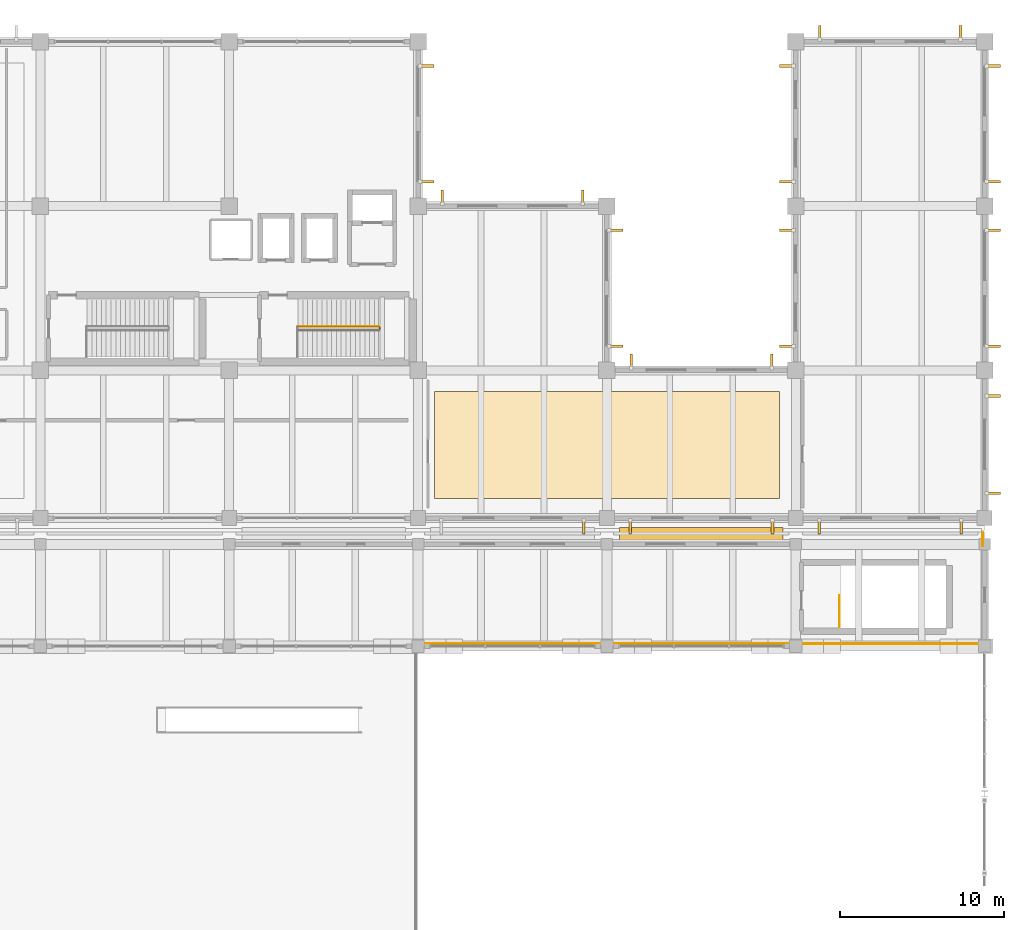
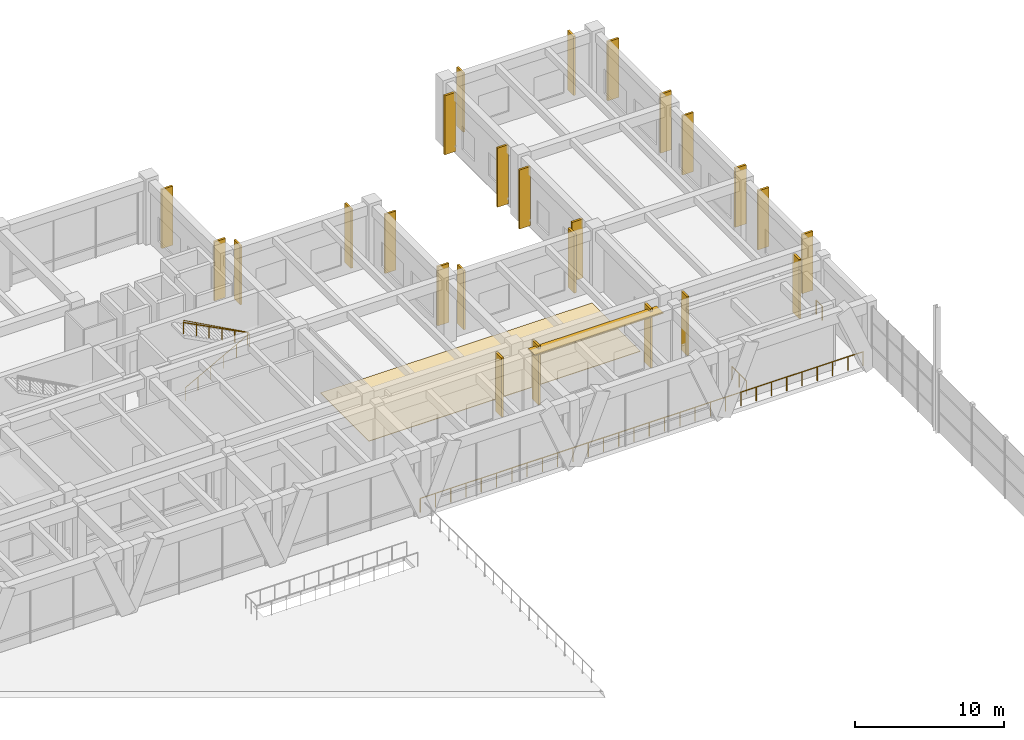
# One storey, part 148 of 148: 26 shading devices, 5 railings, 1 covering.
"""IFC4 building model written with IfcOpenShell, lengths in metres."""

import ifcopenshell
import ifcopenshell.guid

model = None  # the IFC model being written
_history = None  # IfcOwnerHistory: only IFC2X3 demands one
_inside = {}  # id of a spatial element -> (the spatial element, [elements in it])
_under = {}  # id of a project, library or spatial element -> (it, [spatial elements below it])
_declared = {}  # id of a project -> (the project, [libraries it declares])
_typed = {}  # id of a type object -> (the type object, [elements of that type])
_made_of = {}  # id of a material, layer set ... -> (it, [elements and type objects made of it])


def new_model(schema):
    """Start an empty IFC model of exactly this schema.

    Asked for "IFC4X3", IfcOpenShell would pick the latest addendum, in which some entities
    have other attributes; the version numbers below select the first issue.
    IFC2X3 requires an IfcOwnerHistory on every rooted entity: one is made here for all.
    """
    global model, _history
    if schema == "IFC4X3":
        model = ifcopenshell.file(schema_version=(4, 3, 0, 0))
    else:
        model = ifcopenshell.file(schema=schema)
    _inside.clear()
    _under.clear()
    _declared.clear()
    _typed.clear()
    _made_of.clear()
    _history = None
    if model.schema == "IFC2X3":
        org = make("IfcOrganization", Name="unknown")
        user = make(
            "IfcPersonAndOrganization",
            ThePerson=make("IfcPerson", FamilyName="unknown"),
            TheOrganization=org,
        )
        app = make(
            "IfcApplication",
            ApplicationDeveloper=org,
            Version="unknown",
            ApplicationFullName="unknown",
            ApplicationIdentifier="unknown",
        )
        _history = make(
            "IfcOwnerHistory",
            OwningUser=user,
            OwningApplication=app,
            ChangeAction="ADDED",
            CreationDate=0,
        )
    return model


def make(cls, **values):
    """One entity of the class cls with the attributes given. An attribute that is None is left unset."""
    return model.create_entity(
        cls, **{name: value for name, value in values.items() if value is not None}
    )


def rooted(cls, **values):
    """An entity with a GlobalId (a new one), such as an element, a storey or a relation."""
    return make(cls, GlobalId=ifcopenshell.guid.new(), OwnerHistory=_history, **values)


def si_unit(unit_type, name, prefix=None):
    """IfcSIUnit, for example si_unit("LENGTHUNIT", "METRE", prefix="MILLI")."""
    return make("IfcSIUnit", UnitType=unit_type, Prefix=prefix, Name=name)


def assignment(units):
    """IfcUnitAssignment: the units of a project."""
    return None if units is None else make("IfcUnitAssignment", Units=units)


def point(xyz):
    """IfcCartesianPoint."""
    return None if xyz is None else make("IfcCartesianPoint", Coordinates=xyz)


def direction(xyz):
    """IfcDirection."""
    return None if xyz is None else make("IfcDirection", DirectionRatios=xyz)


def frame(location, z_axis=None, x_axis=None):
    """IfcAxis2Placement3D, a coordinate frame: its origin and axes. An axis left out is left unset."""
    return make(
        "IfcAxis2Placement3D",
        Location=point(location),
        Axis=direction(z_axis),
        RefDirection=direction(x_axis),
    )


def frame_2d(location, x_axis=None):
    """IfcAxis2Placement2D, a coordinate frame in the plane: its origin and x axis."""
    return make(
        "IfcAxis2Placement2D", Location=point(location), RefDirection=direction(x_axis)
    )


def origin():
    """The frame at (0, 0, 0) with its axes left unset."""
    return frame((0.0, 0.0, 0.0))


def origin_2d():
    """The frame at (0, 0) in the plane with its x axis left unset."""
    return frame_2d((0.0, 0.0))


def place(relative_to, where):
    """IfcLocalPlacement: puts the frame where relative to a parent placement (None: the world)."""
    return make(
        "IfcLocalPlacement", PlacementRelTo=relative_to, RelativePlacement=where
    )


def context(
    kind, dimensions, precision=None, world=None, true_north=None, identifier=None
):
    """IfcGeometricRepresentationContext, for example the 3D "Model" context."""
    return make(
        "IfcGeometricRepresentationContext",
        ContextIdentifier=identifier,
        ContextType=kind,
        CoordinateSpaceDimension=dimensions,
        Precision=precision,
        WorldCoordinateSystem=world,
        TrueNorth=true_north,
    )


def subcontext(parent, identifier, kind, view, scale=None):
    """IfcGeometricRepresentationSubContext, for example "Body" below "Model"."""
    return make(
        "IfcGeometricRepresentationSubContext",
        ContextIdentifier=identifier,
        ContextType=kind,
        ParentContext=parent,
        TargetScale=scale,
        TargetView=view,
    )


def project(units=None, contexts=None):
    """IfcProject with its units and contexts."""
    return rooted(
        "IfcProject",
        Name="project",
        RepresentationContexts=contexts,
        UnitsInContext=assignment(units),
    )


def spatial(cls, under=None, at=None, **own):
    """A site, building, storey or space (cls), placed at a placement, below another one or the project."""
    s = rooted(cls, ObjectPlacement=at, **own)
    if under is not None:
        _under.setdefault(under.id(), (under, []))[1].append(s)
    return s


def polyline(points):
    """IfcPolyline through the points."""
    return make("IfcPolyline", Points=[point(p) for p in points])


def profile(cls, at=None, kind="AREA", **sizes):
    """A parametric profile (cls). Its sizes go by their IFC names, for example OverallWidth=200.0."""
    return make(cls, ProfileType=kind, Position=at, **sizes)


def rectangle(**sizes):
    """IfcRectangleProfileDef."""
    return profile("IfcRectangleProfileDef", **sizes)


def circle(**sizes):
    """IfcCircleProfileDef."""
    return profile("IfcCircleProfileDef", **sizes)


def outline(outer, holes=None, kind="AREA"):
    """IfcArbitraryClosedProfileDef: a profile drawn as a closed curve; with holes, ...WithVoids."""
    if holes is None:
        return make("IfcArbitraryClosedProfileDef", ProfileType=kind, OuterCurve=outer)
    return make(
        "IfcArbitraryProfileDefWithVoids",
        ProfileType=kind,
        OuterCurve=outer,
        InnerCurves=holes,
    )


def extrude(swept, where, along, depth):
    """IfcExtrudedAreaSolid: the profile swept, set in the frame where, extruded along a direction by depth."""
    return make(
        "IfcExtrudedAreaSolid",
        SweptArea=swept,
        Position=where,
        ExtrudedDirection=direction(along),
        Depth=depth,
    )


def shape(context_of_items, identifier, shape_type, items):
    """IfcShapeRepresentation: the items that make up one representation, for example the "Body"."""
    return make(
        "IfcShapeRepresentation",
        ContextOfItems=context_of_items,
        RepresentationIdentifier=identifier,
        RepresentationType=shape_type,
        Items=items,
    )


def material(Name=None, Category=None):
    """IfcMaterial."""
    return make("IfcMaterial", Name=Name, Category=Category)


def layer(
    of_material, thickness, ventilated=None, Name=None, Category=None, Priority=None
):
    """IfcMaterialLayer: one layer of a wall or slab, of a material (None: an air gap)."""
    return make(
        "IfcMaterialLayer",
        Material=of_material,
        LayerThickness=thickness,
        IsVentilated=ventilated,
        Name=Name,
        Category=Category,
        Priority=Priority,
    )


def layer_set(layers, Name=None):
    """IfcMaterialLayerSet."""
    return make("IfcMaterialLayerSet", MaterialLayers=layers, LayerSetName=Name)


def made_of(thing, what):
    """Note that an element or type object is made of a material, layer set ...; save() writes the relation."""
    if what is not None:
        _made_of.setdefault(what.id(), (what, []))[1].append(thing)
    return thing


def type_object(cls, material=None, **own):
    """A type object (cls), such as IfcWallType, which elements share."""
    return made_of(rooted(cls, **own), material)


def element(
    cls,
    number,
    at=None,
    inside=None,
    cuts=None,
    type_object=None,
    material=None,
    context=None,
    identifier="Body",
    shape_type=None,
    held_by="IfcProductDefinitionShape",
    body=None,
    shapes=None,
    **own,
):
    """One element of the class cls, such as IfcWall. Its Tag is "e" and its number.

    at: its placement. inside: the storey or other place that contains it. cuts: it is an
    opening in that element (IfcRelVoidsElement). A single representation is given by context,
    identifier, shape_type and body (its items); several are given by shapes. held_by: the class
    of the entity that holds the representations. save() writes the other relations.
    """
    e = rooted(cls, Tag="e%d" % number, ObjectPlacement=at, **own)
    if body is not None:
        shapes = [shape(context, identifier, shape_type, body)]
    if shapes is not None:
        e.Representation = make(held_by, Representations=shapes)
    if inside is not None:
        _inside.setdefault(inside.id(), (inside, []))[1].append(e)
    if cuts is not None:
        rooted(
            "IfcRelVoidsElement", RelatingBuildingElement=cuts, RelatedOpeningElement=e
        )
    if type_object is not None:
        _typed.setdefault(type_object.id(), (type_object, []))[1].append(e)
    return made_of(e, material)


def aggregate(whole, parts):
    """IfcRelAggregates: a whole, such as a stair, and the parts it consists of."""
    return rooted("IfcRelAggregates", RelatingObject=whole, RelatedObjects=parts)


def save(model, path):
    """Write the relations noted so far, then the file.

    IfcRelAggregates (storeys below a building ...), IfcRelContainedInSpatialStructure (elements
    in a storey), IfcRelDefinesByType, IfcRelAssociatesMaterial and IfcRelDeclares: one each for
    every whole, place, type object, material and project.
    """
    for whole, parts in _under.values():
        aggregate(whole, parts)
    for where, things in _inside.values():
        rooted(
            "IfcRelContainedInSpatialStructure",
            RelatedElements=things,
            RelatingStructure=where,
        )
    for kind, things in _typed.values():
        rooted("IfcRelDefinesByType", RelatedObjects=things, RelatingType=kind)
    for what, things in _made_of.values():
        rooted("IfcRelAssociatesMaterial", RelatedObjects=things, RelatingMaterial=what)
    for by, libraries in _declared.values():
        rooted("IfcRelDeclares", RelatingContext=by, RelatedDefinitions=libraries)
    model.write(path)


model = new_model("IFC4")

# Units and contexts
model_context = context("Model", 3, precision=1e-05, world=origin(), true_north=direction((0.0, 1.0)))
body_context = subcontext(model_context, "Body", "Model", "MODEL_VIEW")
ifc_project = project(units=[si_unit("LENGTHUNIT", "METRE"), si_unit("AREAUNIT", "SQUARE_METRE"), si_unit("VOLUMEUNIT", "CUBIC_METRE"), si_unit("PLANEANGLEUNIT", "RADIAN"), si_unit("MASSUNIT", "GRAM", prefix="KILO")], contexts=[model_context])

# Site, building, storey
site_placement = place(None, origin())
site = spatial("IfcSite", under=ifc_project, at=site_placement, CompositionType="ELEMENT")
building_placement = place(site_placement, origin())
building = spatial("IfcBuilding", under=site, at=building_placement, Name="Ologun Quay Terminus", CompositionType="ELEMENT")
storey_placement = place(building_placement, frame((0.0, 0.0, 8.39990234375)))
storey = spatial("IfcBuildingStorey", under=building, at=storey_placement, Name="L02", CompositionType="ELEMENT", Elevation=8.39990234375)

# Covering
ifc_material_1 = material(Name="Steel S355", Category="steel")
ifc_layer_1 = layer(ifc_material_1, 0.044921875)
ifc_layer_set_1 = layer_set([ifc_layer_1], Name="Steel S355")
covering_type = type_object("IfcCoveringType", Name="Anti-Static Raised Access Control Floor 45", PredefinedType="FLOORING", material=ifc_layer_set_1)
covering_placement = place(storey_placement, origin())
element("IfcCovering", 1, at=covering_placement, inside=storey, type_object=covering_type, Name="CV-FL3 Interior Flooring 11", PredefinedType="FLOORING", context=body_context, shape_type="SweptSolid", body=[
    extrude(outline(polyline([(150.5, 87.0), (171.5, 87.0), (171.5, 93.5), (150.5, 93.5), (150.5, 87.0)])), origin(), (0.0, 0.0, 1.0), 0.045166015625),
])

# Railing
ifc_material_2 = material(Name="Glass", Category="glass")
railing_type_1 = type_object("IfcRailingType", Name="Concourse & Atrium Glazed Balustrade 1150", PredefinedType="BALUSTRADE", material=ifc_material_2)
railing_1_placement = place(storey_placement, frame((149.35009765625, 78.14990234375, 0.0)))
element("IfcRailing", 2, at=railing_1_placement, inside=storey, type_object=railing_type_1, Name="BL-GL North Concourse Edge Balustrade SE L02", PredefinedType="BALUSTRADE", context=body_context, shape_type="SweptSolid", body=[
    extrude(circle(Radius=0.02392578125, at=origin_2d()), frame((0.0, 0.0, 1.1259765625), z_axis=(1.0, 0.0, 0.0), x_axis=(0.0, 1.0, 0.0)), (0.0, 0.0, 1.0), 34.25),
    extrude(circle(Radius=0.02099609375, at=origin_2d()), origin(), (0.0, 0.0, 1.0), 1.101806640625),
    extrude(circle(Radius=0.02099609375, at=origin_2d()), frame((1.18115234375, 0.0, 0.0)), (0.0, 0.0, 1.0), 1.101806640625),
    extrude(circle(Radius=0.02099609375, at=origin_2d()), frame((2.362060546875, 0.0, 0.0)), (0.0, 0.0, 1.0), 1.101806640625),
    extrude(circle(Radius=0.02099609375, at=origin_2d()), frame((3.543212890625, 0.0, 0.0)), (0.0, 0.0, 1.0), 1.101806640625),
    extrude(circle(Radius=0.02099609375, at=origin_2d()), frame((4.72412109375, 0.0, 0.0)), (0.0, 0.0, 1.0), 1.101806640625),
    extrude(circle(Radius=0.02099609375, at=origin_2d()), frame((5.9052734375, 0.0, 0.0)), (0.0, 0.0, 1.0), 1.101806640625),
    extrude(circle(Radius=0.02099609375, at=origin_2d()), frame((7.086181640625, 0.0, 0.0)), (0.0, 0.0, 1.0), 1.101806640625),
    extrude(circle(Radius=0.02099609375, at=origin_2d()), frame((8.267333984375, 0.0, 0.0)), (0.0, 0.0, 1.0), 1.101806640625),
    extrude(circle(Radius=0.02099609375, at=origin_2d()), frame((9.4482421875, 0.0, 0.0)), (0.0, 0.0, 1.0), 1.101806640625),
    extrude(circle(Radius=0.02099609375, at=origin_2d()), frame((10.62939453125, 0.0, 0.0)), (0.0, 0.0, 1.0), 1.101806640625),
    extrude(circle(Radius=0.02099609375, at=origin_2d()), frame((11.810302734375, 0.0, 0.0)), (0.0, 0.0, 1.0), 1.101806640625),
    extrude(circle(Radius=0.02099609375, at=origin_2d()), frame((12.991455078125, 0.0, 0.0)), (0.0, 0.0, 1.0), 1.101806640625),
    extrude(circle(Radius=0.02099609375, at=origin_2d()), frame((14.17236328125, 0.0, 0.0)), (0.0, 0.0, 1.0), 1.101806640625),
    extrude(circle(Radius=0.02099609375, at=origin_2d()), frame((15.353515625, 0.0, 0.0)), (0.0, 0.0, 1.0), 1.101806640625),
    extrude(circle(Radius=0.02099609375, at=origin_2d()), frame((16.534423828125, 0.0, 0.0)), (0.0, 0.0, 1.0), 1.101806640625),
    extrude(circle(Radius=0.02099609375, at=origin_2d()), frame((17.715576171875, 0.0, 0.0)), (0.0, 0.0, 1.0), 1.101806640625),
    extrude(circle(Radius=0.02099609375, at=origin_2d()), frame((18.896484375, 0.0, 0.0)), (0.0, 0.0, 1.0), 1.101806640625),
    extrude(circle(Radius=0.02099609375, at=origin_2d()), frame((20.07763671875, 0.0, 0.0)), (0.0, 0.0, 1.0), 1.101806640625),
    extrude(circle(Radius=0.02099609375, at=origin_2d()), frame((21.258544921875, 0.0, 0.0)), (0.0, 0.0, 1.0), 1.101806640625),
    extrude(circle(Radius=0.02099609375, at=origin_2d()), frame((22.439697265625, 0.0, 0.0)), (0.0, 0.0, 1.0), 1.101806640625),
    extrude(circle(Radius=0.02099609375, at=origin_2d()), frame((23.62060546875, 0.0, 0.0)), (0.0, 0.0, 1.0), 1.101806640625),
    extrude(circle(Radius=0.02099609375, at=origin_2d()), frame((24.8017578125, 0.0, 0.0)), (0.0, 0.0, 1.0), 1.101806640625),
    extrude(circle(Radius=0.02099609375, at=origin_2d()), frame((25.982666015625, 0.0, 0.0)), (0.0, 0.0, 1.0), 1.101806640625),
    extrude(circle(Radius=0.02099609375, at=origin_2d()), frame((27.163818359375, 0.0, 0.0)), (0.0, 0.0, 1.0), 1.101806640625),
    extrude(circle(Radius=0.02099609375, at=origin_2d()), frame((28.3447265625, 0.0, 0.0)), (0.0, 0.0, 1.0), 1.101806640625),
    extrude(circle(Radius=0.02099609375, at=origin_2d()), frame((29.52587890625, 0.0, 0.0)), (0.0, 0.0, 1.0), 1.101806640625),
    extrude(circle(Radius=0.02099609375, at=origin_2d()), frame((30.706787109375, 0.0, 0.0)), (0.0, 0.0, 1.0), 1.101806640625),
    extrude(circle(Radius=0.02099609375, at=origin_2d()), frame((31.887939453125, 0.0, 0.0)), (0.0, 0.0, 1.0), 1.101806640625),
    extrude(circle(Radius=0.02099609375, at=origin_2d()), frame((33.06884765625, 0.0, 0.0)), (0.0, 0.0, 1.0), 1.101806640625),
    extrude(circle(Radius=0.02099609375, at=origin_2d()), frame((34.25, 0.0, 0.0)), (0.0, 0.0, 1.0), 1.101806640625),
])

# Shading devices
ifc_material_3 = material(Name="Aluminium 6063-T6", Category="aluminium")
ifc_layer_2 = layer(ifc_material_3, 0.080078125)
ifc_layer_set_2 = layer_set([ifc_layer_2], Name="Aluminium 6063-T6")
shading_device_type_1 = type_object("IfcShadingDeviceType", Name="Horizontal Extruded Aluminium Sun Louvre 900", PredefinedType="JALOUSIE", material=ifc_layer_set_2)
shading_device_placement = place(storey_placement, frame((166.75, 84.780029296875, 4.66015625), z_axis=(0.0, 0.0, 1.0), x_axis=(1.0, 0.0, 0.0)))
element("IfcShadingDevice", 3, at=shading_device_placement, inside=storey, type_object=shading_device_type_1, Name="SD-01 Sun-Hood WEW-NGW-L02-15", PredefinedType="JALOUSIE", context=body_context, shape_type="SweptSolid", body=[
    extrude(rectangle(XDim=9.9599609375, YDim=0.89990234375, at=origin_2d()), origin(), (0.0, 0.0, 1.0), 0.080078125),
])
ifc_material_4 = material(Name="Concrete C40/50", Category="concrete")
ifc_layer_3 = layer(ifc_material_4, 0.159912109375)
ifc_layer_set_3 = layer_set([ifc_layer_3], Name="Concrete C40/50")
shading_device_type_2 = type_object("IfcShadingDeviceType", Name="Operations Angled Precast Solar Fin 850x160", PredefinedType="USERDEFINED", material=ifc_layer_set_3)
for number, where, z_axis, x_axis, name in (
    (4, (159.580078125, 85.2451171875, 0.150146484375), (0.0, 0.0, 1.0), (1.0, 0.0, 0.0), "SD-05 Vertical Solar Fin WEW-EW-L02-4-2"),
    (5, (162.419921875, 85.2451171875, 0.150146484375), (0.0, 0.0, 1.0), (1.0, 0.0, 0.0), "SD-05 Vertical Solar Fin WEW-EW-L02-5-1"),
    (6, (171.080078125, 85.2451171875, 0.150146484375), (0.0, 0.0, 1.0), (1.0, 0.0, 0.0), "SD-05 Vertical Solar Fin WEW-EW-L02-5-2"),
    (7, (173.919921875, 85.2451171875, 0.150146484375), (0.0, 0.0, 1.0), (1.0, 0.0, 0.0), "SD-05 Vertical Solar Fin WEW-EW-L02-6-1"),
    (8, (182.580078125, 85.2451171875, 0.150146484375), (0.0, 0.0, 1.0), (1.0, 0.0, 0.0), "SD-05 Vertical Solar Fin WEW-EW-L02-6-2"),
):
    element("IfcShadingDevice", number, at=place(storey_placement, frame(where, z_axis=z_axis, x_axis=x_axis)), inside=storey, type_object=shading_device_type_2, Name=name, ObjectType="SOLAR FIN", PredefinedType="USERDEFINED", context=body_context, shape_type="SweptSolid", body=[
        extrude(rectangle(XDim=0.159912109375, YDim=0.85009765625, at=origin_2d()), origin(), (0.0, 0.0, 1.0), 4.830078125),
    ])
for number, where, z_axis, x_axis, name in (
    (9, (184.554931640625, 87.320068359375, 0.150146484375), (0.0, 0.0, 1.0), (1.0, 0.0, 0.0), "SD-05 Vertical Solar Fin WEW-EW-L02-7-1"),
    (10, (184.554931640625, 93.22998046875, 0.150146484375), (0.0, 0.0, 1.0), (1.0, 0.0, 0.0), "SD-05 Vertical Solar Fin WEW-EW-L02-7-2"),
    (11, (184.554931640625, 96.27001953125, 0.150146484375), (0.0, 0.0, 1.0), (1.0, 0.0, 0.0), "SD-05 Vertical Solar Fin WEW-EW-L02-8-1"),
    (12, (184.554931640625, 103.330078125, 0.150146484375), (0.0, 0.0, 1.0), (1.0, 0.0, 0.0), "SD-05 Vertical Solar Fin WEW-EW-L02-8-2"),
    (13, (184.554931640625, 106.27001953125, 0.150146484375), (0.0, 0.0, 1.0), (1.0, 0.0, 0.0), "SD-05 Vertical Solar Fin WEW-EW-L02-9-1"),
    (14, (184.554931640625, 113.330078125, 0.150146484375), (0.0, 0.0, 1.0), (1.0, 0.0, 0.0), "SD-05 Vertical Solar Fin WEW-EW-L02-9-2"),
):
    element("IfcShadingDevice", number, at=place(storey_placement, frame(where, z_axis=z_axis, x_axis=x_axis)), inside=storey, type_object=shading_device_type_2, Name=name, ObjectType="SOLAR FIN", PredefinedType="USERDEFINED", context=body_context, shape_type="SweptSolid", body=[
        extrude(rectangle(XDim=0.85009765625, YDim=0.159912109375, at=origin_2d()), origin(), (0.0, 0.0, 1.0), 4.830078125),
    ])
for number, where, z_axis, x_axis, name in (
    (15, (173.969970703125, 115.35498046875, 0.150146484375), (0.0, 0.0, 1.0), (1.0, 0.0, 0.0), "SD-05 Vertical Solar Fin WEW-EW-L02-10-1"),
    (16, (182.530029296875, 115.35498046875, 0.150146484375), (0.0, 0.0, 1.0), (1.0, 0.0, 0.0), "SD-05 Vertical Solar Fin WEW-EW-L02-10-2"),
):
    element("IfcShadingDevice", number, at=place(storey_placement, frame(where, z_axis=z_axis, x_axis=x_axis)), inside=storey, type_object=shading_device_type_2, Name=name, ObjectType="SOLAR FIN", PredefinedType="USERDEFINED", context=body_context, shape_type="SweptSolid", body=[
        extrude(rectangle(XDim=0.159912109375, YDim=0.85009765625, at=origin_2d()), origin(), (0.0, 0.0, 1.0), 4.830078125),
    ])
for number, where, z_axis, x_axis, name in (
    (17, (171.945068359375, 96.27001953125, 0.150146484375), (0.0, 0.0, 1.0), (1.0, 0.0, 0.0), "SD-05 Vertical Solar Fin WEW-EW-L02-11-1"),
    (18, (171.945068359375, 103.330078125, 0.150146484375), (0.0, 0.0, 1.0), (1.0, 0.0, 0.0), "SD-05 Vertical Solar Fin WEW-EW-L02-11-2"),
    (19, (171.945068359375, 106.27001953125, 0.150146484375), (0.0, 0.0, 1.0), (1.0, 0.0, 0.0), "SD-05 Vertical Solar Fin WEW-EW-L02-12-1"),
    (20, (171.945068359375, 113.330078125, 0.150146484375), (0.0, 0.0, 1.0), (1.0, 0.0, 0.0), "SD-05 Vertical Solar Fin WEW-EW-L02-12-2"),
):
    element("IfcShadingDevice", number, at=place(storey_placement, frame(where, z_axis=z_axis, x_axis=x_axis)), inside=storey, type_object=shading_device_type_2, Name=name, ObjectType="SOLAR FIN", PredefinedType="USERDEFINED", context=body_context, shape_type="SweptSolid", body=[
        extrude(rectangle(XDim=0.85009765625, YDim=0.159912109375, at=origin_2d()), origin(), (0.0, 0.0, 1.0), 4.830078125),
    ])
for number, where, z_axis, x_axis, name in (
    (21, (162.469970703125, 95.35498046875, 0.150146484375), (0.0, 0.0, 1.0), (1.0, 0.0, 0.0), "SD-05 Vertical Solar Fin WEW-EW-L02-13-1"),
    (22, (171.030029296875, 95.35498046875, 0.150146484375), (0.0, 0.0, 1.0), (1.0, 0.0, 0.0), "SD-05 Vertical Solar Fin WEW-EW-L02-13-2"),
):
    element("IfcShadingDevice", number, at=place(storey_placement, frame(where, z_axis=z_axis, x_axis=x_axis)), inside=storey, type_object=shading_device_type_2, Name=name, ObjectType="SOLAR FIN", PredefinedType="USERDEFINED", context=body_context, shape_type="SweptSolid", body=[
        extrude(rectangle(XDim=0.159912109375, YDim=0.85009765625, at=origin_2d()), origin(), (0.0, 0.0, 1.0), 4.830078125),
    ])
for number, where, z_axis, x_axis, name in (
    (23, (161.554931640625, 96.27001953125, 0.150146484375), (0.0, 0.0, 1.0), (1.0, 0.0, 0.0), "SD-05 Vertical Solar Fin WEW-EW-L02-14-1"),
    (24, (161.554931640625, 103.330078125, 0.150146484375), (0.0, 0.0, 1.0), (1.0, 0.0, 0.0), "SD-05 Vertical Solar Fin WEW-EW-L02-14-2"),
):
    element("IfcShadingDevice", number, at=place(storey_placement, frame(where, z_axis=z_axis, x_axis=x_axis)), inside=storey, type_object=shading_device_type_2, Name=name, ObjectType="SOLAR FIN", PredefinedType="USERDEFINED", context=body_context, shape_type="SweptSolid", body=[
        extrude(rectangle(XDim=0.85009765625, YDim=0.159912109375, at=origin_2d()), origin(), (0.0, 0.0, 1.0), 4.830078125),
    ])
for number, where, z_axis, x_axis, name in (
    (25, (150.969970703125, 105.35498046875, 0.150146484375), (0.0, 0.0, 1.0), (1.0, 0.0, 0.0), "SD-05 Vertical Solar Fin WEW-EW-L02-15-1"),
    (26, (159.530029296875, 105.35498046875, 0.150146484375), (0.0, 0.0, 1.0), (1.0, 0.0, 0.0), "SD-05 Vertical Solar Fin WEW-EW-L02-15-2"),
):
    element("IfcShadingDevice", number, at=place(storey_placement, frame(where, z_axis=z_axis, x_axis=x_axis)), inside=storey, type_object=shading_device_type_2, Name=name, ObjectType="SOLAR FIN", PredefinedType="USERDEFINED", context=body_context, shape_type="SweptSolid", body=[
        extrude(rectangle(XDim=0.159912109375, YDim=0.85009765625, at=origin_2d()), origin(), (0.0, 0.0, 1.0), 4.830078125),
    ])
for number, where, z_axis, x_axis, name in (
    (27, (150.054931640625, 106.27001953125, 0.150146484375), (0.0, 0.0, 1.0), (1.0, 0.0, 0.0), "SD-05 Vertical Solar Fin WEW-EW-L02-16-1"),
    (28, (150.054931640625, 113.330078125, 0.150146484375), (0.0, 0.0, 1.0), (1.0, 0.0, 0.0), "SD-05 Vertical Solar Fin WEW-EW-L02-16-2"),
):
    element("IfcShadingDevice", number, at=place(storey_placement, frame(where, z_axis=z_axis, x_axis=x_axis)), inside=storey, type_object=shading_device_type_2, Name=name, ObjectType="SOLAR FIN", PredefinedType="USERDEFINED", context=body_context, shape_type="SweptSolid", body=[
        extrude(rectangle(XDim=0.85009765625, YDim=0.159912109375, at=origin_2d()), origin(), (0.0, 0.0, 1.0), 4.830078125),
    ])

# Railings
ifc_material_5 = material(Name="Steel S355", Category="steel")
railing_type_2 = type_object("IfcRailingType", Name="Stair & Landing Steel Guardrail 1100", PredefinedType="GUARDRAIL", material=ifc_material_5)
railing_2_placement = place(storey_placement, frame((142.199951171875, 97.25, 0.0)))
element("IfcRailing", 29, at=railing_2_placement, inside=storey, type_object=railing_type_2, Name="GR-ST Stair Inner Well Guard ST-E2 L02", PredefinedType="GUARDRAIL", context=body_context, shape_type="SweptSolid", body=[
    extrude(circle(Radius=0.02392578125, at=origin_2d()), frame((0.0, 0.0, 1.076171875), z_axis=(0.87828518882, 0.0, 0.478137142565), x_axis=(0.0, 1.0, 0.0)), (0.0, 0.0, 1.0), 5.647216796875),
    extrude(circle(Radius=0.02392578125, at=origin_2d()), frame((4.9599609375, 0.0, 3.7763671875), z_axis=(0.0, 1.0, 0.0), x_axis=(-1.0, 0.0, 0.0)), (0.0, 0.0, 1.0), 0.199951171875),
    extrude(circle(Radius=0.02392578125, at=origin_2d()), frame((4.9599609375, 0.199951171875, 3.7763671875), z_axis=(-0.878303343108, 0.0, 0.478103793632), x_axis=(0.0, -1.0, 0.0)), (0.0, 0.0, 1.0), 5.647216796875),
    extrude(circle(Radius=0.02099609375, at=origin_2d()), origin(), (0.0, 0.0, 1.0), 1.052001953125),
    extrude(circle(Radius=0.02099609375, at=origin_2d()), frame((0.991943359375, 0.0, 0.5400390625)), (0.0, 0.0, 1.0), 1.052001953125),
    extrude(circle(Radius=0.02099609375, at=origin_2d()), frame((1.98388671875, 0.0, 1.080078125)), (0.0, 0.0, 1.0), 1.052001953125),
    extrude(circle(Radius=0.02099609375, at=origin_2d()), frame((2.97607421875, 0.0, 1.6201171875)), (0.0, 0.0, 1.0), 1.052001953125),
    extrude(circle(Radius=0.02099609375, at=origin_2d()), frame((3.968017578125, 0.0, 2.16015625)), (0.0, 0.0, 1.0), 1.052001953125),
    extrude(circle(Radius=0.02099609375, at=origin_2d()), frame((4.9599609375, 0.0, 2.7001953125)), (0.0, 0.0, 1.0), 1.052001953125),
    extrude(circle(Radius=0.02099609375, at=origin_2d()), frame((4.9599609375, 0.199951171875, 2.7001953125)), (0.0, 0.0, 1.0), 1.052001953125),
    extrude(circle(Radius=0.02099609375, at=origin_2d()), frame((3.968017578125, 0.199951171875, 3.240234375)), (0.0, 0.0, 1.0), 1.052001953125),
    extrude(circle(Radius=0.02099609375, at=origin_2d()), frame((2.97607421875, 0.199951171875, 3.7802734375)), (0.0, 0.0, 1.0), 1.052001953125),
    extrude(circle(Radius=0.02099609375, at=origin_2d()), frame((1.98388671875, 0.199951171875, 4.320068359375)), (0.0, 0.0, 1.0), 1.052001953125),
    extrude(circle(Radius=0.02099609375, at=origin_2d()), frame((0.991943359375, 0.199951171875, 4.860107421875)), (0.0, 0.0, 1.0), 1.052001953125),
    extrude(circle(Radius=0.02099609375, at=origin_2d()), frame((0.0, 0.199951171875, 5.400146484375)), (0.0, 0.0, 1.0), 1.052001953125),
])
railing_3_placement = place(storey_placement, frame((175.159912109375, 81.090087890625, 0.0)))
element("IfcRailing", 30, at=railing_3_placement, inside=storey, type_object=railing_type_2, Name="GR-ST Stair Floor Edge Guard ST-NG2 L02", PredefinedType="GUARDRAIL", context=body_context, shape_type="SweptSolid", body=[
    extrude(circle(Radius=0.02392578125, at=origin_2d()), frame((0.0, 0.0, 1.076171875), z_axis=(0.0, -1.0, 0.0), x_axis=(1.0, 0.0, 0.0)), (0.0, 0.0, 1.0), 1.93017578125),
    extrude(circle(Radius=0.02099609375, at=origin_2d()), origin(), (0.0, 0.0, 1.0), 1.052001953125),
    extrude(circle(Radius=0.02099609375, at=origin_2d()), frame((0.0, -0.965087890625, 0.0)), (0.0, 0.0, 1.0), 1.052001953125),
    extrude(circle(Radius=0.02099609375, at=origin_2d()), frame((0.0, -1.93017578125, 0.0)), (0.0, 0.0, 1.0), 1.052001953125),
])
ifc_material_6 = material(Name="Steel S355", Category="steel")
railing_type_3 = type_object("IfcRailingType", Name="Stair Stainless Tubular Handrail 920", PredefinedType="HANDRAIL", material=ifc_material_6)
railing_4_placement = place(storey_placement, frame((147.1298828125, 97.4599609375, 2.85009765625)))
element("IfcRailing", 31, at=railing_4_placement, inside=storey, type_object=railing_type_3, Name="HR-ST Handrail ST-E2-F2 L02", PredefinedType="HANDRAIL", context=body_context, shape_type="SweptSolid", body=[
    extrude(circle(Radius=0.02392578125, at=origin_2d()), frame((0.0, 0.0, 0.89599609375), z_axis=(-0.888211453661, 0.0, 0.459434885034), x_axis=(0.0, -1.0, 0.0)), (0.0, 0.0, 1.0), 5.55029296875),
    extrude(circle(Radius=0.02099609375, at=origin_2d()), origin(), (0.0, 0.0, 1.0), 0.871826171875),
    extrude(circle(Radius=0.02099609375, at=origin_2d()), frame((-0.986083984375, 0.0, 0.510009765625)), (0.0, 0.0, 1.0), 0.871826171875),
    extrude(circle(Radius=0.02099609375, at=origin_2d()), frame((-1.971923828125, 0.0, 1.02001953125)), (0.0, 0.0, 1.0), 0.871826171875),
    extrude(circle(Radius=0.02099609375, at=origin_2d()), frame((-2.9580078125, 0.0, 1.530029296875)), (0.0, 0.0, 1.0), 0.871826171875),
    extrude(circle(Radius=0.02099609375, at=origin_2d()), frame((-3.94384765625, 0.0, 2.0400390625)), (0.0, 0.0, 1.0), 0.871826171875),
    extrude(circle(Radius=0.02099609375, at=origin_2d()), frame((-4.929931640625, 0.0, 2.550048828125)), (0.0, 0.0, 1.0), 0.871826171875),
])
ifc_material_7 = material(Name="Steel S355", Category="steel")
railing_type_4 = type_object("IfcRailingType", Name="Terrace & Quay Perimeter Guardrail 1150", PredefinedType="GUARDRAIL", material=ifc_material_7)
railing_5_placement = place(storey_placement, frame((183.8798828125, 84.10009765625, 0.0)))
element("IfcRailing", 32, at=railing_5_placement, inside=storey, type_object=railing_type_4, Name="GR-TR North Concourse End Return Guard E L02", PredefinedType="GUARDRAIL", context=body_context, shape_type="SweptSolid", body=[
    extrude(circle(Radius=0.02392578125, at=origin_2d()), frame((0.0, 0.0, 1.1259765625), z_axis=(0.0, 1.0, 0.0), x_axis=(-1.0, 0.0, 0.0)), (0.0, 0.0, 1.0), 0.81982421875),
    extrude(circle(Radius=0.02099609375, at=origin_2d()), origin(), (0.0, 0.0, 1.0), 1.101806640625),
    extrude(circle(Radius=0.02099609375, at=origin_2d()), frame((0.0, 0.81982421875, 0.0)), (0.0, 0.0, 1.0), 1.101806640625),
])

save(model, "model.ifc")
